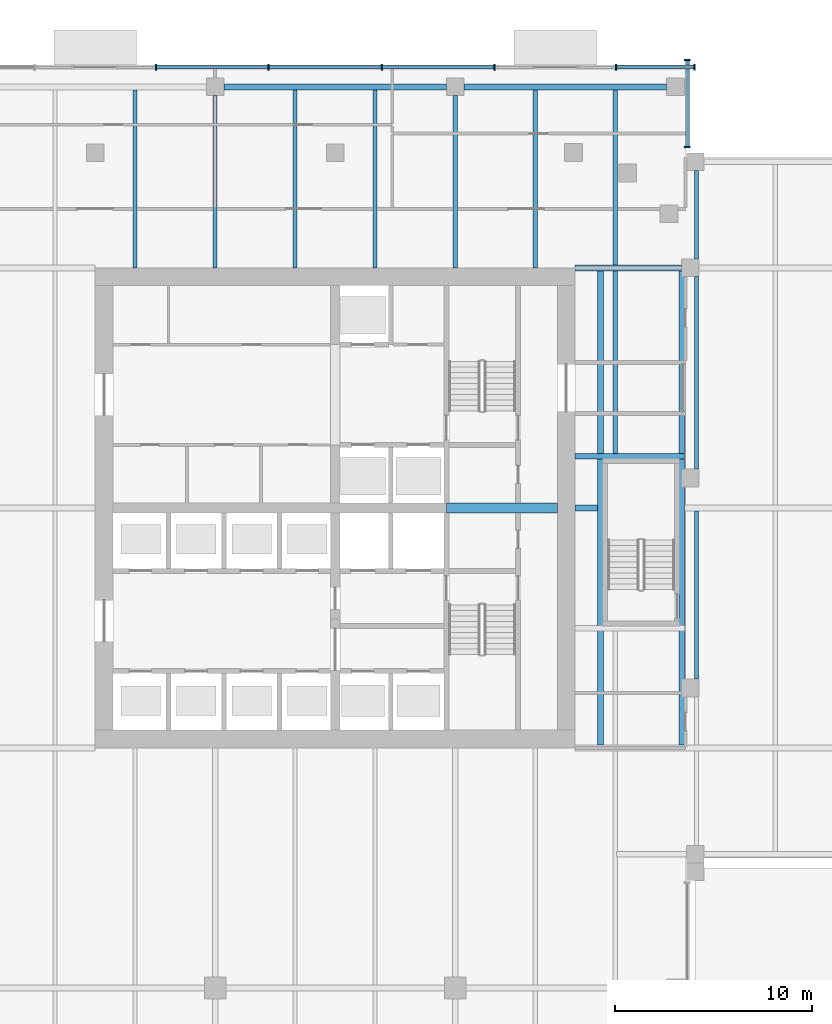
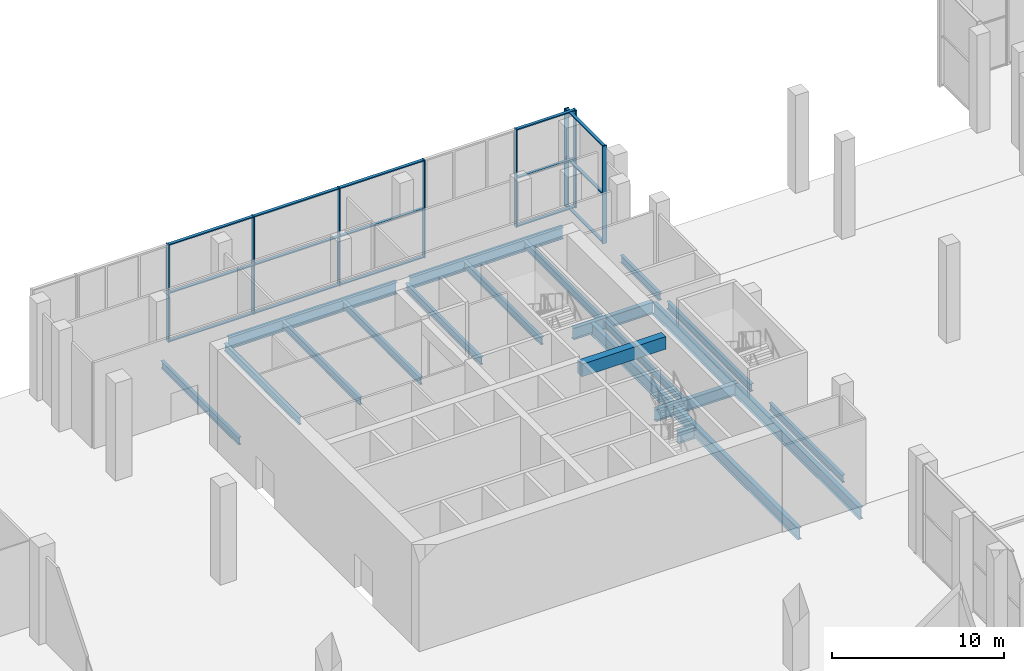
# One storey, part 4 of 36: 23 members, 19 beams, 3 elements without a shape of their own.
"""IFC4 building model written with IfcOpenShell, lengths in metres."""

import ifcopenshell
import ifcopenshell.guid

model = None  # the IFC model being written
_history = None  # IfcOwnerHistory: only IFC2X3 demands one
_inside = {}  # id of a spatial element -> (the spatial element, [elements in it])
_under = {}  # id of a project, library or spatial element -> (it, [spatial elements below it])
_declared = {}  # id of a project -> (the project, [libraries it declares])
_typed = {}  # id of a type object -> (the type object, [elements of that type])
_made_of = {}  # id of a material, layer set ... -> (it, [elements and type objects made of it])


def new_model(schema):
    """Start an empty IFC model of exactly this schema.

    Asked for "IFC4X3", IfcOpenShell would pick the latest addendum, in which some entities
    have other attributes; the version numbers below select the first issue.
    IFC2X3 requires an IfcOwnerHistory on every rooted entity: one is made here for all.
    """
    global model, _history
    if schema == "IFC4X3":
        model = ifcopenshell.file(schema_version=(4, 3, 0, 0))
    else:
        model = ifcopenshell.file(schema=schema)
    _inside.clear()
    _under.clear()
    _declared.clear()
    _typed.clear()
    _made_of.clear()
    _history = None
    if model.schema == "IFC2X3":
        org = make("IfcOrganization", Name="unknown")
        user = make(
            "IfcPersonAndOrganization",
            ThePerson=make("IfcPerson", FamilyName="unknown"),
            TheOrganization=org,
        )
        app = make(
            "IfcApplication",
            ApplicationDeveloper=org,
            Version="unknown",
            ApplicationFullName="unknown",
            ApplicationIdentifier="unknown",
        )
        _history = make(
            "IfcOwnerHistory",
            OwningUser=user,
            OwningApplication=app,
            ChangeAction="ADDED",
            CreationDate=0,
        )
    return model


def make(cls, **values):
    """One entity of the class cls with the attributes given. An attribute that is None is left unset."""
    return model.create_entity(
        cls, **{name: value for name, value in values.items() if value is not None}
    )


def rooted(cls, **values):
    """An entity with a GlobalId (a new one), such as an element, a storey or a relation."""
    return make(cls, GlobalId=ifcopenshell.guid.new(), OwnerHistory=_history, **values)


def si_unit(unit_type, name, prefix=None):
    """IfcSIUnit, for example si_unit("LENGTHUNIT", "METRE", prefix="MILLI")."""
    return make("IfcSIUnit", UnitType=unit_type, Prefix=prefix, Name=name)


def assignment(units):
    """IfcUnitAssignment: the units of a project."""
    return None if units is None else make("IfcUnitAssignment", Units=units)


def point(xyz):
    """IfcCartesianPoint."""
    return None if xyz is None else make("IfcCartesianPoint", Coordinates=xyz)


def direction(xyz):
    """IfcDirection."""
    return None if xyz is None else make("IfcDirection", DirectionRatios=xyz)


def frame(location, z_axis=None, x_axis=None):
    """IfcAxis2Placement3D, a coordinate frame: its origin and axes. An axis left out is left unset."""
    return make(
        "IfcAxis2Placement3D",
        Location=point(location),
        Axis=direction(z_axis),
        RefDirection=direction(x_axis),
    )


def frame_2d(location, x_axis=None):
    """IfcAxis2Placement2D, a coordinate frame in the plane: its origin and x axis."""
    return make(
        "IfcAxis2Placement2D", Location=point(location), RefDirection=direction(x_axis)
    )


def origin():
    """The frame at (0, 0, 0) with its axes left unset."""
    return frame((0.0, 0.0, 0.0))


def origin_2d():
    """The frame at (0, 0) in the plane with its x axis left unset."""
    return frame_2d((0.0, 0.0))


def place(relative_to, where):
    """IfcLocalPlacement: puts the frame where relative to a parent placement (None: the world)."""
    return make(
        "IfcLocalPlacement", PlacementRelTo=relative_to, RelativePlacement=where
    )


def context(
    kind, dimensions, precision=None, world=None, true_north=None, identifier=None
):
    """IfcGeometricRepresentationContext, for example the 3D "Model" context."""
    return make(
        "IfcGeometricRepresentationContext",
        ContextIdentifier=identifier,
        ContextType=kind,
        CoordinateSpaceDimension=dimensions,
        Precision=precision,
        WorldCoordinateSystem=world,
        TrueNorth=true_north,
    )


def subcontext(parent, identifier, kind, view, scale=None):
    """IfcGeometricRepresentationSubContext, for example "Body" below "Model"."""
    return make(
        "IfcGeometricRepresentationSubContext",
        ContextIdentifier=identifier,
        ContextType=kind,
        ParentContext=parent,
        TargetScale=scale,
        TargetView=view,
    )


def project(units=None, contexts=None):
    """IfcProject with its units and contexts."""
    return rooted(
        "IfcProject",
        Name="project",
        RepresentationContexts=contexts,
        UnitsInContext=assignment(units),
    )


def spatial(cls, under=None, at=None, **own):
    """A site, building, storey or space (cls), placed at a placement, below another one or the project."""
    s = rooted(cls, ObjectPlacement=at, **own)
    if under is not None:
        _under.setdefault(under.id(), (under, []))[1].append(s)
    return s


def profile(cls, at=None, kind="AREA", **sizes):
    """A parametric profile (cls). Its sizes go by their IFC names, for example OverallWidth=200.0."""
    return make(cls, ProfileType=kind, Position=at, **sizes)


def rectangle(**sizes):
    """IfcRectangleProfileDef."""
    return profile("IfcRectangleProfileDef", **sizes)


def i_section(**sizes):
    """IfcIShapeProfileDef."""
    return profile("IfcIShapeProfileDef", **sizes)


def extrude(swept, where, along, depth):
    """IfcExtrudedAreaSolid: the profile swept, set in the frame where, extruded along a direction by depth."""
    return make(
        "IfcExtrudedAreaSolid",
        SweptArea=swept,
        Position=where,
        ExtrudedDirection=direction(along),
        Depth=depth,
    )


def shape(context_of_items, identifier, shape_type, items):
    """IfcShapeRepresentation: the items that make up one representation, for example the "Body"."""
    return make(
        "IfcShapeRepresentation",
        ContextOfItems=context_of_items,
        RepresentationIdentifier=identifier,
        RepresentationType=shape_type,
        Items=items,
    )


def material(Name=None, Category=None):
    """IfcMaterial."""
    return make("IfcMaterial", Name=Name, Category=Category)


def material_profile(
    of_material, cross_section, Name=None, Category=None, Priority=None
):
    """IfcMaterialProfile: a cross section and its material."""
    return make(
        "IfcMaterialProfile",
        Name=Name,
        Material=of_material,
        Profile=cross_section,
        Priority=Priority,
        Category=Category,
    )


def profile_set(profiles, Name=None, composite=None):
    """IfcMaterialProfileSet."""
    return make(
        "IfcMaterialProfileSet",
        Name=Name,
        MaterialProfiles=profiles,
        CompositeProfile=composite,
    )


def made_of(thing, what):
    """Note that an element or type object is made of a material, layer set ...; save() writes the relation."""
    if what is not None:
        _made_of.setdefault(what.id(), (what, []))[1].append(thing)
    return thing


def type_object(cls, material=None, **own):
    """A type object (cls), such as IfcWallType, which elements share."""
    return made_of(rooted(cls, **own), material)


def element(
    cls,
    number,
    at=None,
    inside=None,
    cuts=None,
    type_object=None,
    material=None,
    context=None,
    identifier="Body",
    shape_type=None,
    held_by="IfcProductDefinitionShape",
    body=None,
    shapes=None,
    **own,
):
    """One element of the class cls, such as IfcWall. Its Tag is "e" and its number.

    at: its placement. inside: the storey or other place that contains it. cuts: it is an
    opening in that element (IfcRelVoidsElement). A single representation is given by context,
    identifier, shape_type and body (its items); several are given by shapes. held_by: the class
    of the entity that holds the representations. save() writes the other relations.
    """
    e = rooted(cls, Tag="e%d" % number, ObjectPlacement=at, **own)
    if body is not None:
        shapes = [shape(context, identifier, shape_type, body)]
    if shapes is not None:
        e.Representation = make(held_by, Representations=shapes)
    if inside is not None:
        _inside.setdefault(inside.id(), (inside, []))[1].append(e)
    if cuts is not None:
        rooted(
            "IfcRelVoidsElement", RelatingBuildingElement=cuts, RelatedOpeningElement=e
        )
    if type_object is not None:
        _typed.setdefault(type_object.id(), (type_object, []))[1].append(e)
    return made_of(e, material)


def aggregate(whole, parts):
    """IfcRelAggregates: a whole, such as a stair, and the parts it consists of."""
    return rooted("IfcRelAggregates", RelatingObject=whole, RelatedObjects=parts)


def save(model, path):
    """Write the relations noted so far, then the file.

    IfcRelAggregates (storeys below a building ...), IfcRelContainedInSpatialStructure (elements
    in a storey), IfcRelDefinesByType, IfcRelAssociatesMaterial and IfcRelDeclares: one each for
    every whole, place, type object, material and project.
    """
    for whole, parts in _under.values():
        aggregate(whole, parts)
    for where, things in _inside.values():
        rooted(
            "IfcRelContainedInSpatialStructure",
            RelatedElements=things,
            RelatingStructure=where,
        )
    for kind, things in _typed.values():
        rooted("IfcRelDefinesByType", RelatedObjects=things, RelatingType=kind)
    for what, things in _made_of.values():
        rooted("IfcRelAssociatesMaterial", RelatedObjects=things, RelatingMaterial=what)
    for by, libraries in _declared.values():
        rooted("IfcRelDeclares", RelatingContext=by, RelatedDefinitions=libraries)
    model.write(path)


model = new_model("IFC4")

# Units and contexts
model_context = context("Model", 3, precision=1e-05, world=origin(), true_north=direction((0.0, 1.0)))
body_context = subcontext(model_context, "Body", "Model", "MODEL_VIEW")
ifc_project = project(units=[si_unit("LENGTHUNIT", "METRE"), si_unit("AREAUNIT", "SQUARE_METRE"), si_unit("VOLUMEUNIT", "CUBIC_METRE"), si_unit("PLANEANGLEUNIT", "RADIAN"), si_unit("MASSUNIT", "GRAM", prefix="KILO")], contexts=[model_context])

# Site, building, storey
site_placement = place(None, origin())
site = spatial("IfcSite", under=ifc_project, at=site_placement, CompositionType="ELEMENT")
building_placement = place(site_placement, origin())
building = spatial("IfcBuilding", under=site, at=building_placement, Name="Tessera Gate Towers", CompositionType="ELEMENT")
storey_placement = place(building_placement, origin())
storey = spatial("IfcBuildingStorey", under=building, at=storey_placement, Name="L00", CompositionType="ELEMENT", Elevation=0.0)

# Beams
ifc_material_1 = material(Name="Concrete C70/85", Category="concrete")
ifc_material_profile_1 = material_profile(ifc_material_1, rectangle(XDim=0.5, YDim=0.89990234375, at=origin_2d()), Name="RC 500x900")
ifc_profile_set_1 = profile_set([ifc_material_profile_1], Name="Concrete C70/85")
beam_type_1 = type_object("IfcBeamType", Name="COUPLING BEAM 500x900 C70/85", PredefinedType="BEAM", material=ifc_profile_set_1)
beam_1_placement = place(storey_placement, frame((48.35009765625, 36.60009765625, 6.5), z_axis=(1.0, 0.0, 0.0), x_axis=(0.0, 1.0, 0.0)))
element("IfcBeam", 1, at=beam_1_placement, inside=storey, type_object=beam_type_1, Name="L00 coupling beam 1", PredefinedType="BEAM", context=body_context, shape_type="SweptSolid", body=[
    extrude(rectangle(XDim=0.5, YDim=0.89990234375, at=origin_2d()), origin(), (0.0, 0.0, 1.0), 5.64990234375),
])
ifc_material_2 = material(Name="Steel 350W", Category="steel")
ifc_material_profile_2 = material_profile(ifc_material_2, i_section(OverallWidth=0.2919921875, OverallDepth=0.8349609375, WebThickness=0.013916015625, FlangeThickness=0.018798828125, at=origin_2d()), Name="W840x176")
ifc_profile_set_2 = profile_set([ifc_material_profile_2], Name="Steel 350W")
beam_type_2 = type_object("IfcBeamType", Name="FLOOR GIRDER W840x176", PredefinedType="BEAM", material=ifc_profile_set_2)
beam_2_placement = place(storey_placement, frame((54.89892578125, 36.60009765625, -0.66748046875), z_axis=(1.0, 0.0, 0.0), x_axis=(0.0, 1.0, 0.0)))
element("IfcBeam", 2, at=beam_2_placement, inside=storey, type_object=beam_type_2, Name="PD-GD-L00-26", PredefinedType="BEAM", context=body_context, shape_type="SweptSolid", body=[
    extrude(i_section(OverallWidth=0.2919921875, OverallDepth=0.8349609375, WebThickness=0.013916015625, FlangeThickness=0.018798828125, at=origin_2d()), origin(), (0.0, 0.0, 1.0), 1.135009765625),
])
beam_3_placement = place(storey_placement, frame((54.90087890625, 48.800048828125, -0.66748046875), z_axis=(1.0, 0.0, 0.0), x_axis=(0.0, 1.0, 0.0)))
element("IfcBeam", 3, at=beam_3_placement, inside=storey, type_object=beam_type_2, Name="PD-GD-L00-35", PredefinedType="BEAM", context=body_context, shape_type="SweptSolid", body=[
    extrude(i_section(OverallWidth=0.2919921875, OverallDepth=0.8349609375, WebThickness=0.013916015625, FlangeThickness=0.018798828125, at=origin_2d()), origin(), (0.0, 0.0, 1.0), 5.399169921875),
])
beam_4_placement = place(storey_placement, frame((37.050048828125, 58.0, -0.66748046875), z_axis=(1.0, 0.0, 0.0), x_axis=(0.0, 1.0, 0.0)))
element("IfcBeam", 4, at=beam_4_placement, inside=storey, type_object=beam_type_2, Name="PD-GD-L00-43", PredefinedType="BEAM", context=body_context, shape_type="SweptSolid", body=[
    extrude(i_section(OverallWidth=0.2919921875, OverallDepth=0.8349609375, WebThickness=0.013916015625, FlangeThickness=0.018798828125, at=origin_2d()), origin(), (0.0, 0.0, 1.0), 11.300048828125),
])
beam_5_placement = place(storey_placement, frame((49.25, 58.0, -0.66748046875), z_axis=(1.0, 0.0, 0.0), x_axis=(0.0, 1.0, 0.0)))
element("IfcBeam", 5, at=beam_5_placement, inside=storey, type_object=beam_type_2, Name="PD-GD-L00-44", PredefinedType="BEAM", context=body_context, shape_type="SweptSolid", body=[
    extrude(i_section(OverallWidth=0.2919921875, OverallDepth=0.8349609375, WebThickness=0.013916015625, FlangeThickness=0.018798828125, at=origin_2d()), origin(), (0.0, 0.0, 1.0), 10.300048828125),
])
beam_6_placement = place(storey_placement, frame((54.89892578125, 39.219970703125, -0.66748046875), z_axis=(1.0, 0.0, 0.0), x_axis=(0.0, 1.0, 0.0)))
element("IfcBeam", 6, at=beam_6_placement, inside=storey, type_object=beam_type_2, Name="PD-GD-L00-80", PredefinedType="BEAM", context=body_context, shape_type="SweptSolid", body=[
    extrude(i_section(OverallWidth=0.2919921875, OverallDepth=0.8349609375, WebThickness=0.013916015625, FlangeThickness=0.018798828125, at=origin_2d()), origin(), (0.0, 0.0, 1.0), 5.567138671875),
])
for number, where, z_axis, x_axis, name in (
    (7, (56.179931640625, 24.5458984375, -0.66748046875), (0.0, 1.0, 0.0), (-1.0, 0.0, 0.0), "PD-GD-L00-83"),
    (8, (60.320068359375, 24.5458984375, -0.66748046875), (0.0, 1.0, 0.0), (-1.0, 0.0, 0.0), "PD-GD-L00-84"),
):
    element("IfcBeam", number, at=place(storey_placement, frame(where, z_axis=z_axis, x_axis=x_axis)), inside=storey, type_object=beam_type_2, Name=name, PredefinedType="BEAM", context=body_context, shape_type="SweptSolid", body=[
        extrude(i_section(OverallWidth=0.2919921875, OverallDepth=0.8349609375, WebThickness=0.013916015625, FlangeThickness=0.018798828125, at=origin_2d()), origin(), (0.0, 0.0, 1.0), 24.108154296875),
    ])
ifc_material_3 = material(Name="Steel 350W", Category="steel")
ifc_material_profile_3 = material_profile(ifc_material_3, i_section(OverallWidth=0.208984375, OverallDepth=0.528076171875, WebThickness=0.009521484375, FlangeThickness=0.01318359375, at=origin_2d()), Name="W530x82")
ifc_profile_set_3 = profile_set([ifc_material_profile_3], Name="Steel 350W")
beam_type_3 = type_object("IfcBeamType", Name="FLOOR SECONDARY W530x82", PredefinedType="BEAM", material=ifc_profile_set_3)
beam_7_placement = place(storey_placement, frame((32.533203125, 48.800048828125, -0.513916015625), z_axis=(0.0, 1.0, 0.0), x_axis=(-1.0, 0.0, 0.0)))
element("IfcBeam", 9, at=beam_7_placement, inside=storey, type_object=beam_type_3, Name="PD-BM-L00-108", PredefinedType="BEAM", context=body_context, shape_type="SweptSolid", body=[
    extrude(i_section(OverallWidth=0.208984375, OverallDepth=0.528076171875, WebThickness=0.009521484375, FlangeThickness=0.01318359375, at=origin_2d()), origin(), (0.0, 0.0, 1.0), 9.053955078125),
])
beam_8_placement = place(storey_placement, frame((36.60009765625, 48.800048828125, -0.513916015625), z_axis=(0.0, 1.0, 0.0), x_axis=(-1.0, 0.0, 0.0)))
element("IfcBeam", 10, at=beam_8_placement, inside=storey, type_object=beam_type_3, Name="PD-BM-L00-109", PredefinedType="BEAM", context=body_context, shape_type="SweptSolid", body=[
    extrude(i_section(OverallWidth=0.208984375, OverallDepth=0.528076171875, WebThickness=0.009521484375, FlangeThickness=0.01318359375, at=origin_2d()), origin(), (0.0, 0.0, 1.0), 8.75),
])
for number, where, z_axis, x_axis, name in (
    (11, (40.666748046875, 48.800048828125, -0.513916015625), (0.0, 1.0, 0.0), (-1.0, 0.0, 0.0), "PD-BM-L00-112"),
    (12, (44.7333984375, 48.800048828125, -0.513916015625), (0.0, 1.0, 0.0), (-1.0, 0.0, 0.0), "PD-BM-L00-115"),
):
    element("IfcBeam", number, at=place(storey_placement, frame(where, z_axis=z_axis, x_axis=x_axis)), inside=storey, type_object=beam_type_3, Name=name, PredefinedType="BEAM", context=body_context, shape_type="SweptSolid", body=[
        extrude(i_section(OverallWidth=0.208984375, OverallDepth=0.528076171875, WebThickness=0.009521484375, FlangeThickness=0.01318359375, at=origin_2d()), origin(), (0.0, 0.0, 1.0), 9.053955078125),
    ])
beam_9_placement = place(storey_placement, frame((48.800048828125, 48.800048828125, -0.513916015625), z_axis=(0.0, 1.0, 0.0), x_axis=(-1.0, 0.0, 0.0)))
element("IfcBeam", 13, at=beam_9_placement, inside=storey, type_object=beam_type_3, Name="PD-BM-L00-116", PredefinedType="BEAM", context=body_context, shape_type="SweptSolid", body=[
    extrude(i_section(OverallWidth=0.208984375, OverallDepth=0.528076171875, WebThickness=0.009521484375, FlangeThickness=0.01318359375, at=origin_2d()), origin(), (0.0, 0.0, 1.0), 8.75),
])
beam_10_placement = place(storey_placement, frame((52.86669921875, 48.800048828125, -0.513916015625), z_axis=(0.0, 1.0, 0.0), x_axis=(-1.0, 0.0, 0.0)))
element("IfcBeam", 14, at=beam_10_placement, inside=storey, type_object=beam_type_3, Name="PD-BM-L00-120", PredefinedType="BEAM", context=body_context, shape_type="SweptSolid", body=[
    extrude(i_section(OverallWidth=0.208984375, OverallDepth=0.528076171875, WebThickness=0.009521484375, FlangeThickness=0.01318359375, at=origin_2d()), origin(), (0.0, 0.0, 1.0), 9.053955078125),
])
beam_11_placement = place(storey_placement, frame((56.933349609375, 39.365966796875, -0.513916015625), z_axis=(0.0, 1.0, 0.0), x_axis=(-1.0, 0.0, 0.0)))
element("IfcBeam", 15, at=beam_11_placement, inside=storey, type_object=beam_type_3, Name="PD-BM-L00-125", PredefinedType="BEAM", context=body_context, shape_type="SweptSolid", body=[
    extrude(i_section(OverallWidth=0.208984375, OverallDepth=0.528076171875, WebThickness=0.009521484375, FlangeThickness=0.01318359375, at=origin_2d()), origin(), (0.0, 0.0, 1.0), 9.2880859375),
])
beam_12_placement = place(storey_placement, frame((56.933349609375, 48.946044921875, -0.513916015625), z_axis=(0.0, 1.0, 0.0), x_axis=(-1.0, 0.0, 0.0)))
element("IfcBeam", 16, at=beam_12_placement, inside=storey, type_object=beam_type_3, Name="PD-BM-L00-126", PredefinedType="BEAM", context=body_context, shape_type="SweptSolid", body=[
    extrude(i_section(OverallWidth=0.208984375, OverallDepth=0.528076171875, WebThickness=0.009521484375, FlangeThickness=0.01318359375, at=origin_2d()), origin(), (0.0, 0.0, 1.0), 8.907958984375),
])
beam_13_placement = place(storey_placement, frame((61.070556640625, 27.89990234375, -0.513916015625), z_axis=(0.0, 1.0, 0.0), x_axis=(-1.0, 0.0, 0.0)))
element("IfcBeam", 17, at=beam_13_placement, inside=storey, type_object=beam_type_3, Name="PD-BM-L00-129", PredefinedType="BEAM", context=body_context, shape_type="SweptSolid", body=[
    extrude(i_section(OverallWidth=0.208984375, OverallDepth=0.528076171875, WebThickness=0.009521484375, FlangeThickness=0.01318359375, at=origin_2d()), origin(), (0.0, 0.0, 1.0), 8.55419921875),
])
beam_14_placement = place(storey_placement, frame((61.070556640625, 38.574951171875, -0.513916015625), z_axis=(0.0, 1.0, 0.0), x_axis=(-1.0, 0.0, 0.0)))
element("IfcBeam", 18, at=beam_14_placement, inside=storey, type_object=beam_type_3, Name="PD-BM-L00-130", PredefinedType="BEAM", context=body_context, shape_type="SweptSolid", body=[
    extrude(i_section(OverallWidth=0.208984375, OverallDepth=0.528076171875, WebThickness=0.009521484375, FlangeThickness=0.01318359375, at=origin_2d()), origin(), (0.0, 0.0, 1.0), 9.775146484375),
])
beam_15_placement = place(storey_placement, frame((61.070556640625, 49.25, -0.513916015625), z_axis=(0.0, 1.0, 0.0), x_axis=(-1.0, 0.0, 0.0)))
element("IfcBeam", 19, at=beam_15_placement, inside=storey, type_object=beam_type_3, Name="PD-BM-L00-131", PredefinedType="BEAM", context=body_context, shape_type="SweptSolid", body=[
    extrude(i_section(OverallWidth=0.208984375, OverallDepth=0.528076171875, WebThickness=0.009521484375, FlangeThickness=0.01318359375, at=origin_2d()), origin(), (0.0, 0.0, 1.0), 4.5),
])

# Curtain wall, members
ifc_material_4 = material(Name="Aluminium frame", Category="aluminium")
curtain_wall_type = type_object("IfcCurtainWallType", Name="CW-S6 ground floor glazing", PredefinedType="NOTDEFINED", material=ifc_material_4)
curtain_wall_1_placement = place(storey_placement, origin())
curtain_wall_1 = element("IfcCurtainWall", 20, at=curtain_wall_1_placement, inside=storey, type_object=curtain_wall_type, Name="Curtain wall ground floor glazing 0201", PredefinedType="NOTDEFINED")
ifc_material_5 = material(Name="Aluminium frame", Category="aluminium")
ifc_material_profile_4 = material_profile(ifc_material_5, rectangle(XDim=0.080078125, YDim=0.300048828125, at=origin_2d()), Name="AL 80x300")
ifc_profile_set_4 = profile_set([ifc_material_profile_4], Name="Aluminium frame")
member_type_1 = type_object("IfcMemberType", Name="MU-S6 mullion 80x300", PredefinedType="MULLION", material=ifc_profile_set_4)
member_1_placement = place(storey_placement, frame((60.60009765625, 54.93994140625, 0.0), z_axis=(0.0, 0.0, 1.0), x_axis=(0.0, 1.0, 0.0)))
member_1 = element("IfcMember", 21, at=member_1_placement, type_object=member_type_1, Name="PD-CW6-0201 mullion 1", PredefinedType="MULLION", context=body_context, shape_type="SweptSolid", body=[
    extrude(rectangle(XDim=0.080078125, YDim=0.300048828125, at=origin_2d()), origin(), (0.0, 0.0, 1.0), 6.949951171875),
])
member_2_placement = place(storey_placement, frame((60.60009765625, 59.360107421875, 0.0), z_axis=(0.0, 0.0, 1.0), x_axis=(0.0, 1.0, 0.0)))
member_2 = element("IfcMember", 22, at=member_2_placement, type_object=member_type_1, Name="PD-CW6-0201 mullion 2", PredefinedType="MULLION", context=body_context, shape_type="SweptSolid", body=[
    extrude(rectangle(XDim=0.080078125, YDim=0.300048828125, at=origin_2d()), origin(), (0.0, 0.0, 1.0), 6.949951171875),
])

curtain_wall_2_placement = place(storey_placement, origin())
curtain_wall_2 = element("IfcCurtainWall", 23, at=curtain_wall_2_placement, inside=storey, type_object=curtain_wall_type, Name="Curtain wall ground floor glazing 0204", PredefinedType="NOTDEFINED")
member_3_placement = place(storey_placement, frame((60.9599609375, 59.0, 0.0), z_axis=(0.0, 0.0, 1.0), x_axis=(-1.0, 0.0, 0.0)))
member_3 = element("IfcMember", 24, at=member_3_placement, type_object=member_type_1, Name="PD-CW6-0204 mullion 1", PredefinedType="MULLION", context=body_context, shape_type="SweptSolid", body=[
    extrude(rectangle(XDim=0.080078125, YDim=0.300048828125, at=origin_2d()), origin(), (0.0, 0.0, 1.0), 6.949951171875),
])
member_4_placement = place(storey_placement, frame((56.973388671875, 59.0, 0.0), z_axis=(0.0, 0.0, 1.0), x_axis=(-1.0, 0.0, 0.0)))
member_4 = element("IfcMember", 25, at=member_4_placement, type_object=member_type_1, Name="PD-CW6-0204 mullion 2", PredefinedType="MULLION", context=body_context, shape_type="SweptSolid", body=[
    extrude(rectangle(XDim=0.080078125, YDim=0.300048828125, at=origin_2d()), origin(), (0.0, 0.0, 1.0), 6.949951171875),
])

curtain_wall_3_placement = place(storey_placement, origin())
curtain_wall_3 = element("IfcCurtainWall", 26, at=curtain_wall_3_placement, inside=storey, type_object=curtain_wall_type, Name="Curtain wall ground floor glazing 0205", PredefinedType="NOTDEFINED")
member_5_placement = place(storey_placement, frame((50.793212890625, 59.0, 0.0), z_axis=(0.0, 0.0, 1.0), x_axis=(-1.0, 0.0, 0.0)))
member_5 = element("IfcMember", 27, at=member_5_placement, type_object=member_type_1, Name="PD-CW6-0205 mullion 1", PredefinedType="MULLION", context=body_context, shape_type="SweptSolid", body=[
    extrude(rectangle(XDim=0.080078125, YDim=0.300048828125, at=origin_2d()), origin(), (0.0, 0.0, 1.0), 6.949951171875),
])
member_6_placement = place(storey_placement, frame((45.072265625, 59.0, 0.0), z_axis=(0.0, 0.0, 1.0), x_axis=(-1.0, 0.0, 0.0)))
member_6 = element("IfcMember", 28, at=member_6_placement, type_object=member_type_1, Name="PD-CW6-0205 mullion 2", PredefinedType="MULLION", context=body_context, shape_type="SweptSolid", body=[
    extrude(rectangle(XDim=0.080078125, YDim=0.300048828125, at=origin_2d()), origin(), (0.0, 0.0, 1.0), 6.949951171875),
])
member_7_placement = place(storey_placement, frame((39.31103515625, 59.0, 0.0), z_axis=(0.0, 0.0, 1.0), x_axis=(-1.0, 0.0, 0.0)))
member_7 = element("IfcMember", 29, at=member_7_placement, type_object=member_type_1, Name="PD-CW6-0205 mullion 3", PredefinedType="MULLION", context=body_context, shape_type="SweptSolid", body=[
    extrude(rectangle(XDim=0.080078125, YDim=0.300048828125, at=origin_2d()), origin(), (0.0, 0.0, 1.0), 6.949951171875),
])
member_8_placement = place(storey_placement, frame((33.590087890625, 59.0, 0.0), z_axis=(0.0, 0.0, 1.0), x_axis=(-1.0, 0.0, 0.0)))
member_8 = element("IfcMember", 30, at=member_8_placement, type_object=member_type_1, Name="PD-CW6-0205 mullion 4", PredefinedType="MULLION", context=body_context, shape_type="SweptSolid", body=[
    extrude(rectangle(XDim=0.080078125, YDim=0.300048828125, at=origin_2d()), origin(), (0.0, 0.0, 1.0), 6.949951171875),
])

# Member
ifc_material_6 = material(Name="Aluminium frame", Category="aluminium")
ifc_material_profile_5 = material_profile(ifc_material_6, rectangle(XDim=0.199951171875, YDim=0.080078125, at=origin_2d()), Name="AL 80x200")
ifc_profile_set_5 = profile_set([ifc_material_profile_5], Name="Aluminium frame")
member_type_2 = type_object("IfcMemberType", Name="TR-S6 transom 80x200", PredefinedType="USERDEFINED", material=ifc_profile_set_5)
member_9_placement = place(storey_placement, frame((60.60009765625, 54.97998046875, 0.0400390625), z_axis=(0.0, 1.0, 0.0), x_axis=(-1.0, 0.0, 0.0)))
member_9 = element("IfcMember", 31, at=member_9_placement, type_object=member_type_2, Name="PD-CW6-0201 transom 1.1", ObjectType="TRANSOM", PredefinedType="USERDEFINED", context=body_context, shape_type="SweptSolid", body=[
    extrude(rectangle(XDim=0.199951171875, YDim=0.080078125, at=origin_2d()), origin(), (0.0, 0.0, 1.0), 4.340087890625),
])

member_10_placement = place(storey_placement, frame((60.60009765625, 54.97998046875, 3.47509765625), z_axis=(0.0, 1.0, 0.0), x_axis=(-1.0, 0.0, 0.0)))
member_10 = element("IfcMember", 32, at=member_10_placement, type_object=member_type_2, Name="PD-CW6-0201 transom 1.2", ObjectType="TRANSOM", PredefinedType="USERDEFINED", context=body_context, shape_type="SweptSolid", body=[
    extrude(rectangle(XDim=0.199951171875, YDim=0.080078125, at=origin_2d()), origin(), (0.0, 0.0, 1.0), 4.340087890625),
])

member_11_placement = place(storey_placement, frame((60.60009765625, 54.97998046875, 6.909912109375), z_axis=(0.0, 1.0, 0.0), x_axis=(-1.0, 0.0, 0.0)))
member_11 = element("IfcMember", 33, at=member_11_placement, type_object=member_type_2, Name="PD-CW6-0201 transom 1.3", ObjectType="TRANSOM", PredefinedType="USERDEFINED", context=body_context, shape_type="SweptSolid", body=[
    extrude(rectangle(XDim=0.199951171875, YDim=0.080078125, at=origin_2d()), origin(), (0.0, 0.0, 1.0), 4.340087890625),
])

aggregate(curtain_wall_1, [member_1, member_2, member_9, member_10, member_11])

member_12_placement = place(storey_placement, frame((60.919921875, 59.0, 0.0400390625), z_axis=(-1.0, 0.0, 0.0), x_axis=(0.0, -1.0, 0.0)))
member_12 = element("IfcMember", 34, at=member_12_placement, type_object=member_type_2, Name="PD-CW6-0204 transom 1.1", ObjectType="TRANSOM", PredefinedType="USERDEFINED", context=body_context, shape_type="SweptSolid", body=[
    extrude(rectangle(XDim=0.199951171875, YDim=0.080078125, at=origin_2d()), origin(), (0.0, 0.0, 1.0), 3.906494140625),
])

member_13_placement = place(storey_placement, frame((60.919921875, 59.0, 3.47509765625), z_axis=(-1.0, 0.0, 0.0), x_axis=(0.0, -1.0, 0.0)))
member_13 = element("IfcMember", 35, at=member_13_placement, type_object=member_type_2, Name="PD-CW6-0204 transom 1.2", ObjectType="TRANSOM", PredefinedType="USERDEFINED", context=body_context, shape_type="SweptSolid", body=[
    extrude(rectangle(XDim=0.199951171875, YDim=0.080078125, at=origin_2d()), origin(), (0.0, 0.0, 1.0), 3.906494140625),
])

member_14_placement = place(storey_placement, frame((60.919921875, 59.0, 6.909912109375), z_axis=(-1.0, 0.0, 0.0), x_axis=(0.0, -1.0, 0.0)))
member_14 = element("IfcMember", 36, at=member_14_placement, type_object=member_type_2, Name="PD-CW6-0204 transom 1.3", ObjectType="TRANSOM", PredefinedType="USERDEFINED", context=body_context, shape_type="SweptSolid", body=[
    extrude(rectangle(XDim=0.199951171875, YDim=0.080078125, at=origin_2d()), origin(), (0.0, 0.0, 1.0), 3.906494140625),
])

aggregate(curtain_wall_2, [member_3, member_4, member_12, member_13, member_14])

member_15_placement = place(storey_placement, frame((50.75341796875, 59.0, 0.0400390625), z_axis=(-1.0, 0.0, 0.0), x_axis=(0.0, -1.0, 0.0)))
member_15 = element("IfcMember", 37, at=member_15_placement, type_object=member_type_2, Name="PD-CW6-0205 transom 1.1", ObjectType="TRANSOM", PredefinedType="USERDEFINED", context=body_context, shape_type="SweptSolid", body=[
    extrude(rectangle(XDim=0.199951171875, YDim=0.080078125, at=origin_2d()), origin(), (0.0, 0.0, 1.0), 5.64111328125),
])

member_16_placement = place(storey_placement, frame((50.75341796875, 59.0, 3.47509765625), z_axis=(-1.0, 0.0, 0.0), x_axis=(0.0, -1.0, 0.0)))
member_16 = element("IfcMember", 38, at=member_16_placement, type_object=member_type_2, Name="PD-CW6-0205 transom 1.2", ObjectType="TRANSOM", PredefinedType="USERDEFINED", context=body_context, shape_type="SweptSolid", body=[
    extrude(rectangle(XDim=0.199951171875, YDim=0.080078125, at=origin_2d()), origin(), (0.0, 0.0, 1.0), 5.64111328125),
])

member_17_placement = place(storey_placement, frame((50.75341796875, 59.0, 6.909912109375), z_axis=(-1.0, 0.0, 0.0), x_axis=(0.0, -1.0, 0.0)))
member_17 = element("IfcMember", 39, at=member_17_placement, type_object=member_type_2, Name="PD-CW6-0205 transom 1.3", ObjectType="TRANSOM", PredefinedType="USERDEFINED", context=body_context, shape_type="SweptSolid", body=[
    extrude(rectangle(XDim=0.199951171875, YDim=0.080078125, at=origin_2d()), origin(), (0.0, 0.0, 1.0), 5.64111328125),
])

member_18_placement = place(storey_placement, frame((45.0322265625, 59.0, 0.0400390625), z_axis=(-1.0, 0.0, 0.0), x_axis=(0.0, -1.0, 0.0)))
member_18 = element("IfcMember", 40, at=member_18_placement, type_object=member_type_2, Name="PD-CW6-0205 transom 2.1", ObjectType="TRANSOM", PredefinedType="USERDEFINED", context=body_context, shape_type="SweptSolid", body=[
    extrude(rectangle(XDim=0.199951171875, YDim=0.080078125, at=origin_2d()), origin(), (0.0, 0.0, 1.0), 5.68115234375),
])

member_19_placement = place(storey_placement, frame((45.0322265625, 59.0, 3.47509765625), z_axis=(-1.0, 0.0, 0.0), x_axis=(0.0, -1.0, 0.0)))
member_19 = element("IfcMember", 41, at=member_19_placement, type_object=member_type_2, Name="PD-CW6-0205 transom 2.2", ObjectType="TRANSOM", PredefinedType="USERDEFINED", context=body_context, shape_type="SweptSolid", body=[
    extrude(rectangle(XDim=0.199951171875, YDim=0.080078125, at=origin_2d()), origin(), (0.0, 0.0, 1.0), 5.68115234375),
])

member_20_placement = place(storey_placement, frame((45.0322265625, 59.0, 6.909912109375), z_axis=(-1.0, 0.0, 0.0), x_axis=(0.0, -1.0, 0.0)))
member_20 = element("IfcMember", 42, at=member_20_placement, type_object=member_type_2, Name="PD-CW6-0205 transom 2.3", ObjectType="TRANSOM", PredefinedType="USERDEFINED", context=body_context, shape_type="SweptSolid", body=[
    extrude(rectangle(XDim=0.199951171875, YDim=0.080078125, at=origin_2d()), origin(), (0.0, 0.0, 1.0), 5.68115234375),
])

member_21_placement = place(storey_placement, frame((39.27099609375, 59.0, 0.0400390625), z_axis=(-1.0, 0.0, 0.0), x_axis=(0.0, -1.0, 0.0)))
member_21 = element("IfcMember", 43, at=member_21_placement, type_object=member_type_2, Name="PD-CW6-0205 transom 3.1", ObjectType="TRANSOM", PredefinedType="USERDEFINED", context=body_context, shape_type="SweptSolid", body=[
    extrude(rectangle(XDim=0.199951171875, YDim=0.080078125, at=origin_2d()), origin(), (0.0, 0.0, 1.0), 5.64111328125),
])

member_22_placement = place(storey_placement, frame((39.27099609375, 59.0, 3.47509765625), z_axis=(-1.0, 0.0, 0.0), x_axis=(0.0, -1.0, 0.0)))
member_22 = element("IfcMember", 44, at=member_22_placement, type_object=member_type_2, Name="PD-CW6-0205 transom 3.2", ObjectType="TRANSOM", PredefinedType="USERDEFINED", context=body_context, shape_type="SweptSolid", body=[
    extrude(rectangle(XDim=0.199951171875, YDim=0.080078125, at=origin_2d()), origin(), (0.0, 0.0, 1.0), 5.64111328125),
])

member_23_placement = place(storey_placement, frame((39.27099609375, 59.0, 6.909912109375), z_axis=(-1.0, 0.0, 0.0), x_axis=(0.0, -1.0, 0.0)))
member_23 = element("IfcMember", 45, at=member_23_placement, type_object=member_type_2, Name="PD-CW6-0205 transom 3.3", ObjectType="TRANSOM", PredefinedType="USERDEFINED", context=body_context, shape_type="SweptSolid", body=[
    extrude(rectangle(XDim=0.199951171875, YDim=0.080078125, at=origin_2d()), origin(), (0.0, 0.0, 1.0), 5.64111328125),
])

aggregate(curtain_wall_3, [member_5, member_6, member_7, member_8, member_15, member_16, member_17, member_18, member_19, member_20, member_21, member_22, member_23])

save(model, "model.ifc")
